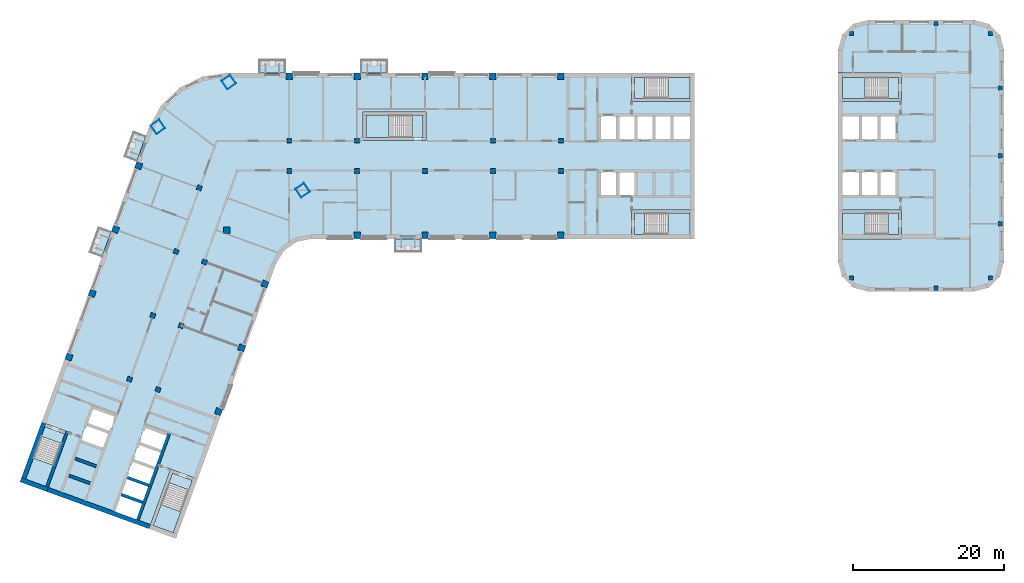
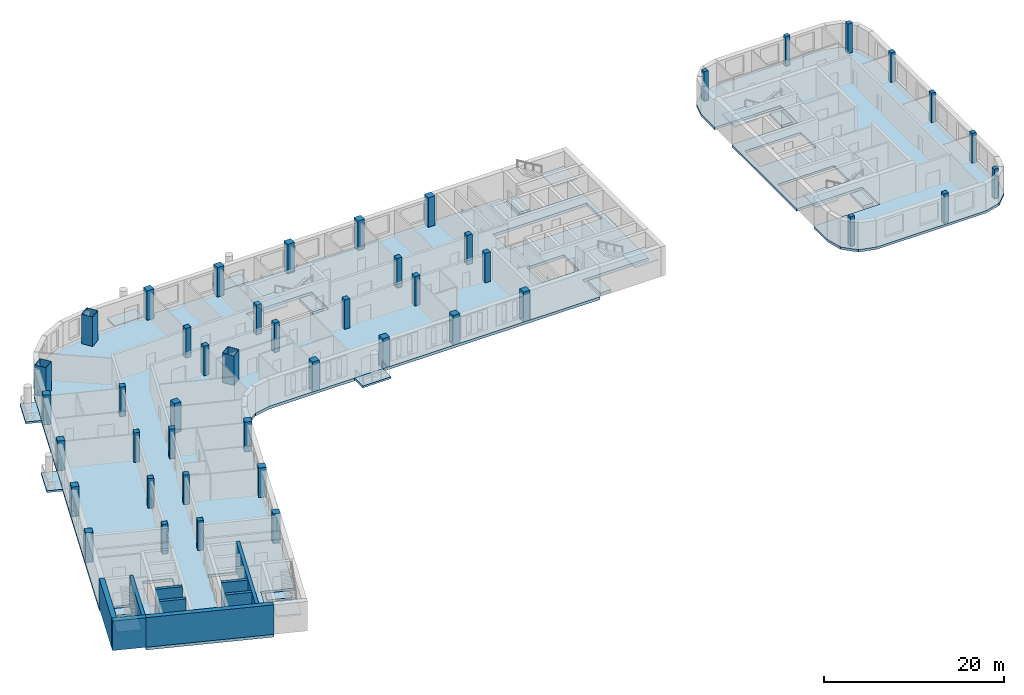
# One storey, part 1 of 13: 45 columns, 21 slabs, 9 walls, 7 elements without a shape of their own.
"""IFC4 building model written with IfcOpenShell, lengths in metres."""

from ifc_helpers import new_model, si_unit, direction, frame, frame_2d, origin, origin_2d, place, context, subcontext, project, spatial, polyline, rectangle, hollow_rectangle, outline, extrude, material, layer, layer_set, material_profile, profile_set, type_object, element, aggregate, save


model = new_model("IFC4")

# Units and contexts
model_context = context("Model", 3, precision=1e-05, world=origin(), true_north=direction((0.0, 1.0)))
body_context = subcontext(model_context, "Body", "Model", "MODEL_VIEW")
ifc_project = project(units=[si_unit("LENGTHUNIT", "METRE"), si_unit("AREAUNIT", "SQUARE_METRE"), si_unit("VOLUMEUNIT", "CUBIC_METRE"), si_unit("PLANEANGLEUNIT", "RADIAN"), si_unit("MASSUNIT", "GRAM", prefix="KILO")], contexts=[model_context])

# Site, building, storey
site_placement = place(None, origin())
site = spatial("IfcSite", under=ifc_project, at=site_placement, CompositionType="ELEMENT")
building_placement = place(site_placement, origin())
building = spatial("IfcBuilding", under=site, at=building_placement, Name="Skarvind Civic Tower", CompositionType="ELEMENT")
storey_placement = place(building_placement, frame((0.0, 0.0, 93.0)))
storey = spatial("IfcBuildingStorey", under=building, at=storey_placement, Name="L21", CompositionType="ELEMENT", Elevation=93.0)

# Columns
ifc_material_1 = material(Name="Concrete C60", Category="concrete")
ifc_material_profile_1 = material_profile(ifc_material_1, rectangle(XDim=0.550048828125, YDim=0.550048828125, at=origin_2d()), Name="RC-550x550")
ifc_profile_set_1 = profile_set([ifc_material_profile_1], Name="Concrete C60")
column_type_1 = type_object("IfcColumnType", Name="Column RC-550x550 C60", PredefinedType="COLUMN", material=ifc_profile_set_1)
for number, where, z_axis, x_axis, name in (
    (1, (128.777099609375, 144.222900390625, 0.0), (0.0, 0.0, 1.0), (1.0, 0.0, 0.0), "Column second tower north-west corner L21"),
    (2, (128.777099609375, 111.777099609375, 0.0), (0.0, 0.0, 1.0), (1.0, 0.0, 0.0), "Column second tower south-west corner L21"),
    (3, (148.550048828125, 119.0, 0.0), (0.0, 0.0, 1.0), (1.0, 0.0, 0.0), "Column second tower middle line 01 L21"),
    (4, (148.550048828125, 128.0, 0.0), (0.0, 0.0, 1.0), (1.0, 0.0, 0.0), "Column second tower middle line 02 L21"),
    (5, (148.550048828125, 137.0, 0.0), (0.0, 0.0, 1.0), (1.0, 0.0, 0.0), "Column second tower middle line 03 L21"),
    (6, (140.0, 145.550048828125, 0.0), (0.0, 0.0, 1.0), (1.0, 0.0, 0.0), "Column second tower north perimeter 02 L21"),
    (7, (147.222900390625, 144.222900390625, 0.0), (0.0, 0.0, 1.0), (1.0, 0.0, 0.0), "Column second tower north perimeter 03 L21"),
    (8, (140.0, 110.449951171875, 0.0), (0.0, 0.0, 1.0), (1.0, 0.0, 0.0), "Column second tower south perimeter 02 L21"),
    (9, (147.222900390625, 111.777099609375, 0.0), (0.0, 0.0, 1.0), (1.0, 0.0, 0.0), "Column second tower south perimeter 03 L21"),
):
    element("IfcColumn", number, at=place(storey_placement, frame(where, z_axis=z_axis, x_axis=x_axis)), inside=storey, type_object=column_type_1, Name=name, PredefinedType="COLUMN", context=body_context, shape_type="SweptSolid", body=[
        extrude(rectangle(XDim=0.550048828125, YDim=0.550048828125, at=origin_2d()), origin(), (0.0, 0.0, 1.0), 4.0),
    ])
ifc_material_profile_2 = material_profile(ifc_material_1, rectangle(XDim=0.64990234375, YDim=0.64990234375, at=origin_2d()), Name="RC-650x650")
ifc_profile_set_2 = profile_set([ifc_material_profile_2], Name="Concrete C60")
column_type_2 = type_object("IfcColumnType", Name="Column RC-650x650 C60", PredefinedType="COLUMN", material=ifc_profile_set_2)
for number, where, z_axis, x_axis, name in (
    (10, (54.25, 130.0, 0.0), (0.0, 0.0, 1.0), (1.0, 0.0, 0.0), "Column wing 1 north inner 02 L21"),
    (11, (63.25, 130.0, 0.0), (0.0, 0.0, 1.0), (1.0, 0.0, 0.0), "Column wing 1 north inner 03 L21"),
    (12, (81.25, 130.0, 0.0), (0.0, 0.0, 1.0), (1.0, 0.0, 0.0), "Column wing 1 north inner 05 L21"),
    (13, (90.25, 130.0, 0.0), (0.0, 0.0, 1.0), (1.0, 0.0, 0.0), "Column wing 1 north inner 06 L21"),
    (14, (54.25, 126.0, 0.0), (0.0, 0.0, 1.0), (1.0, 0.0, 0.0), "Column wing 1 south inner 02 L21"),
    (15, (63.25, 126.0, 0.0), (0.0, 0.0, 1.0), (1.0, 0.0, 0.0), "Column wing 1 south inner 03 L21"),
    (16, (72.25, 126.0, 0.0), (0.0, 0.0, 1.0), (1.0, 0.0, 0.0), "Column wing 1 south inner 04 L21"),
    (17, (81.25, 126.0, 0.0), (0.0, 0.0, 1.0), (1.0, 0.0, 0.0), "Column wing 1 south inner 05 L21"),
    (18, (90.25, 126.0, 0.0), (0.0, 0.0, 1.0), (1.0, 0.0, 0.0), "Column wing 1 south inner 06 L21"),
    (19, (43.005615234375, 113.92529296875, 0.0), (0.0, 0.0, 1.0), (-0.342020143326, -0.939692620786, 0.0), "Column wing 2 left inner 02 L21"),
    (20, (39.927490234375, 105.468017578125, 0.0), (0.0, 0.0, 1.0), (-0.342020143326, -0.939692620786, 0.0), "Column wing 2 left inner 03 L21"),
    (21, (36.84912109375, 97.010986328125, 0.0), (0.0, 0.0, 1.0), (-0.342020143326, -0.939692620786, 0.0), "Column wing 2 left inner 04 L21"),
    (22, (42.324951171875, 123.750732421875, 0.0), (0.0, 0.0, 1.0), (-0.342020143326, -0.939692620786, 0.0), "Column wing 2 right inner 01 L21"),
    (23, (39.246826171875, 115.29345703125, 0.0), (0.0, 0.0, 1.0), (-0.342020143326, -0.939692620786, 0.0), "Column wing 2 right inner 02 L21"),
    (24, (36.168701171875, 106.836181640625, 0.0), (0.0, 0.0, 1.0), (-0.342020143326, -0.939692620786, 0.0), "Column wing 2 right inner 03 L21"),
    (25, (33.090576171875, 98.37890625, 0.0), (0.0, 0.0, 1.0), (-0.342020143326, -0.939692620786, 0.0), "Column wing 2 right inner 04 L21"),
):
    element("IfcColumn", number, at=place(storey_placement, frame(where, z_axis=z_axis, x_axis=x_axis)), inside=storey, type_object=column_type_2, Name=name, PredefinedType="COLUMN", context=body_context, shape_type="SweptSolid", body=[
        extrude(rectangle(XDim=0.64990234375, YDim=0.64990234375, at=origin_2d()), origin(), (0.0, 0.0, 1.0), 4.0),
    ])
ifc_material_2 = material(Name="Concrete C80", Category="concrete")
ifc_material_profile_3 = material_profile(ifc_material_2, rectangle(XDim=0.85009765625, YDim=0.85009765625, at=origin_2d()), Name="RC-850x850")
ifc_profile_set_3 = profile_set([ifc_material_profile_3], Name="Concrete C80")
column_type_3 = type_object("IfcColumnType", Name="Column RC-850x850 C80", PredefinedType="COLUMN", material=ifc_profile_set_3)
for number, where, z_axis, x_axis, name in (
    (26, (54.25, 138.550048828125, 0.0), (0.0, 0.0, 1.0), (1.0, 0.0, 0.0), "Column wing 1 north perimeter 02 L21"),
    (27, (63.25, 138.550048828125, 0.0), (0.0, 0.0, 1.0), (1.0, 0.0, 0.0), "Column wing 1 north perimeter 03 L21"),
    (28, (72.25, 138.550048828125, 0.0), (0.0, 0.0, 1.0), (1.0, 0.0, 0.0), "Column wing 1 north perimeter 04 L21"),
    (29, (81.25, 138.550048828125, 0.0), (0.0, 0.0, 1.0), (1.0, 0.0, 0.0), "Column wing 1 north perimeter 05 L21"),
    (30, (90.25, 138.550048828125, 0.0), (0.0, 0.0, 1.0), (1.0, 0.0, 0.0), "Column wing 1 north perimeter 06 L21"),
    (31, (45.95166015625, 118.151611328125, 0.0), (0.0, 0.0, 1.0), (1.0, 0.0, 0.0), "Column wing 1 south perimeter 01 L21"),
    (32, (63.25, 117.449951171875, 0.0), (0.0, 0.0, 1.0), (1.0, 0.0, 0.0), "Column wing 1 south perimeter 03 L21"),
    (33, (72.25, 117.449951171875, 0.0), (0.0, 0.0, 1.0), (1.0, 0.0, 0.0), "Column wing 1 south perimeter 04 L21"),
    (34, (81.25, 117.449951171875, 0.0), (0.0, 0.0, 1.0), (1.0, 0.0, 0.0), "Column wing 1 south perimeter 05 L21"),
    (35, (90.25, 117.449951171875, 0.0), (0.0, 0.0, 1.0), (1.0, 0.0, 0.0), "Column wing 1 south perimeter 06 L21"),
    (36, (51.0400390625, 111.0009765625, 0.0), (0.0, 0.0, 1.0), (-0.342020143326, -0.939692620786, 0.0), "Column wing 2 left perimeter 02 L21"),
    (37, (47.961669921875, 102.5439453125, 0.0), (0.0, 0.0, 1.0), (-0.342020143326, -0.939692620786, 0.0), "Column wing 2 left perimeter 03 L21"),
    (38, (44.883544921875, 94.086669921875, 0.0), (0.0, 0.0, 1.0), (-0.342020143326, -0.939692620786, 0.0), "Column wing 2 left perimeter 04 L21"),
    (39, (34.29052734375, 126.6748046875, 0.0), (0.0, 0.0, 1.0), (-0.342020143326, -0.939692620786, 0.0), "Column wing 2 right perimeter 01 L21"),
    (40, (31.21240234375, 118.2177734375, 0.0), (0.0, 0.0, 1.0), (-0.342020143326, -0.939692620786, 0.0), "Column wing 2 right perimeter 02 L21"),
    (41, (28.13427734375, 109.760498046875, 0.0), (0.0, 0.0, 1.0), (-0.342020143326, -0.939692620786, 0.0), "Column wing 2 right perimeter 03 L21"),
    (42, (25.05615234375, 101.30322265625, 0.0), (0.0, 0.0, 1.0), (-0.342020143326, -0.939692620786, 0.0), "Column wing 2 right perimeter 04 L21"),
):
    element("IfcColumn", number, at=place(storey_placement, frame(where, z_axis=z_axis, x_axis=x_axis)), inside=storey, type_object=column_type_3, Name=name, PredefinedType="COLUMN", context=body_context, shape_type="SweptSolid", body=[
        extrude(rectangle(XDim=0.85009765625, YDim=0.85009765625, at=origin_2d()), origin(), (0.0, 0.0, 1.0), 4.0),
    ])
ifc_material_3 = material(Name="Composite concrete-filled steel tube, Steel SM355 with Concrete C80", Category="concrete")
ifc_material_profile_4 = material_profile(ifc_material_3, hollow_rectangle(XDim=1.39990234375, YDim=1.39990234375, WallThickness=0.0400390625, at=origin_2d()), Name="BOX-1400x1400x40")
ifc_profile_set_4 = profile_set([ifc_material_profile_4], Name="Composite concrete-filled steel tube, Steel SM355 with Concrete C80")
column_type_4 = type_object("IfcColumnType", Name="Mega column BOX-1400x1400x40 filled C80", PredefinedType="COLUMN", material=ifc_profile_set_4)
for number, where, z_axis, x_axis, name in (
    (43, (36.845947265625, 131.837646484375, 0.0), (0.0, 0.0, 1.0), (0.573576436351, -0.819152044289, 0.0), "Mega column 1 L21"),
    (44, (46.2470703125, 137.762451171875, 0.0), (0.0, 0.0, 1.0), (0.573576436351, -0.819152044289, 0.0), "Mega column 2 L21"),
    (45, (56.0361328125, 123.43017578125, 0.0), (0.0, 0.0, 1.0), (0.573576436351, -0.819152044289, 0.0), "Mega column 4 L21"),
):
    element("IfcColumn", number, at=place(storey_placement, frame(where, z_axis=z_axis, x_axis=x_axis)), inside=storey, type_object=column_type_4, Name=name, PredefinedType="COLUMN", context=body_context, shape_type="SweptSolid", body=[
        extrude(hollow_rectangle(XDim=1.39990234375, YDim=1.39990234375, WallThickness=0.0400390625, at=origin_2d()), origin(), (0.0, 0.0, 1.0), 4.0),
    ])

# Slabs
ifc_material_4 = material(Name="Concrete C50", Category="concrete")
ifc_layer_1 = layer(ifc_material_4, 0.375)
ifc_layer_set_1 = layer_set([ifc_layer_1], Name="Floor slab 375 C50")
slab_type_1 = type_object("IfcSlabType", Name="Floor slab 375 C50", PredefinedType="FLOOR", material=ifc_layer_set_1)
slab_1_placement = place(storey_placement, frame((0.0, 0.0, -0.375)))
element("IfcSlab", 46, at=slab_1_placement, inside=storey, type_object=slab_type_1, Name="Floor slab L21 1", PredefinedType="FLOOR", context=body_context, shape_type="SweptSolid", body=[
    extrude(outline(polyline([(99.60009765625, 117.0), (99.60009765625, 120.800048828125), (108.0, 120.800048828125), (108.0, 135.199951171875), (99.60009765625, 135.199951171875), (99.60009765625, 139.0), (46.095458984375, 139.0), (42.739501953125, 138.5009765625), (39.6943359375, 137.005615234375), (37.24755859375, 134.6552734375), (35.630615234375, 131.672607421875), (19.41748046875, 87.126708984375), (21.435302734375, 92.6708984375), (25.006103515625, 91.371337890625), (22.13330078125, 83.477783203125), (36.886474609375, 78.108154296875), (35.664794921875, 78.552734375), (38.53759765625, 86.4462890625), (42.108642578125, 85.146484375), (40.0908203125, 79.602294921875), (40.0908203125, 79.602294921875), (52.493896484375, 113.68017578125), (53.560791015625, 115.421630859375), (55.23388671875, 116.593017578125), (57.235107421875, 117.0), (99.60009765625, 117.0)]), holes=[polyline([(32.625244140625, 85.40576171875), (33.446044921875, 87.660888671875), (34.26708984375, 89.916259765625), (35.087890625, 92.17138671875), (38.28271484375, 91.008544921875), (37.4619140625, 88.75341796875), (36.64111328125, 86.498046875), (35.8203125, 84.242919921875), (35.8203125, 84.242919921875), (34.99951171875, 81.987548828125), (34.178466796875, 79.732421875), (30.983642578125, 80.89501953125), (31.804443359375, 83.150390625), (32.625244140625, 85.40576171875), (32.625244140625, 85.40576171875)]), polyline([(31.3291015625, 93.53955078125), (30.50830078125, 91.2841796875), (29.6875, 89.029052734375), (26.492431640625, 90.19189453125), (27.313232421875, 92.447021484375), (28.134033203125, 94.702392578125), (31.3291015625, 93.53955078125)]), polyline([(64.0, 130.0), (64.0, 133.800048828125), (72.39990234375, 133.800048828125), (72.39990234375, 130.0), (64.0, 130.0)]), polyline([(100.199951171875, 126.0), (100.199951171875, 122.60009765625), (97.800048828125, 122.60009765625), (95.39990234375, 122.60009765625), (95.39990234375, 126.0), (97.800048828125, 126.0), (100.199951171875, 126.0)]), polyline([(100.199951171875, 133.39990234375), (102.60009765625, 133.39990234375), (105.0, 133.39990234375), (107.39990234375, 133.39990234375), (107.39990234375, 130.0), (105.0, 130.0), (102.60009765625, 130.0), (100.199951171875, 130.0), (97.800048828125, 130.0), (95.39990234375, 130.0), (95.39990234375, 133.39990234375), (97.800048828125, 133.39990234375), (100.199951171875, 133.39990234375)])]), origin(), (0.0, 0.0, 1.0), 0.375),
])
ifc_material_5 = material(Name="Precast concrete C40/50", Category="concrete")
ifc_layer_2 = layer(ifc_material_5, 0.25)
ifc_layer_set_2 = layer_set([ifc_layer_2], Name="SX3 BALCONY SLAB 250")
slab_type_2 = type_object("IfcSlabType", Name="SX3 BALCONY SLAB 250", PredefinedType="FLOOR", material=ifc_layer_set_2)
slab_2_placement = place(storey_placement, frame((0.0, 0.0, -0.25)))
element("IfcSlab", 47, at=slab_2_placement, inside=storey, type_object=slab_type_2, Name="TREE BALCONY SLAB", PredefinedType="FLOOR", context=body_context, shape_type="SweptSolid", body=[
    extrude(outline(polyline([(71.800048828125, 117.0), (68.199951171875, 117.0), (68.199951171875, 115.199951171875), (71.800048828125, 115.199951171875), (71.800048828125, 117.0)])), origin(), (0.0, 0.0, 1.0), 0.25),
])
slab_3_placement = place(storey_placement, frame((0.0, 0.0, -0.25)))
element("IfcSlab", 48, at=slab_3_placement, inside=storey, type_object=slab_type_2, Name="TREE BALCONY SLAB", PredefinedType="FLOOR", context=body_context, shape_type="SweptSolid", body=[
    extrude(outline(polyline([(50.199951171875, 139.0), (53.800048828125, 139.0), (53.800048828125, 140.800048828125), (50.199951171875, 140.800048828125), (50.199951171875, 139.0)])), origin(), (0.0, 0.0, 1.0), 0.25),
])
slab_4_placement = place(storey_placement, frame((0.0, 0.0, -0.25)))
element("IfcSlab", 49, at=slab_4_placement, inside=storey, type_object=slab_type_2, Name="TREE BALCONY SLAB", PredefinedType="FLOOR", context=body_context, shape_type="SweptSolid", body=[
    extrude(outline(polyline([(63.699951171875, 139.0), (67.300048828125, 139.0), (67.300048828125, 140.800048828125), (63.699951171875, 140.800048828125), (63.699951171875, 139.0)])), origin(), (0.0, 0.0, 1.0), 0.25),
])
slab_5_placement = place(storey_placement, frame((0.0, 0.0, -0.25)))
element("IfcSlab", 50, at=slab_5_placement, inside=storey, type_object=slab_type_2, Name="TREE BALCONY SLAB", PredefinedType="FLOOR", context=body_context, shape_type="SweptSolid", body=[
    extrude(outline(polyline([(29.404296875, 114.56591796875), (30.6357421875, 117.94873046875), (28.9443359375, 118.564453125), (27.712890625, 115.181396484375), (29.404296875, 114.56591796875)])), origin(), (0.0, 0.0, 1.0), 0.25),
])
slab_6_placement = place(storey_placement, frame((0.0, 0.0, -0.25)))
element("IfcSlab", 51, at=slab_6_placement, inside=storey, type_object=slab_type_2, Name="TREE BALCONY SLAB", PredefinedType="FLOOR", context=body_context, shape_type="SweptSolid", body=[
    extrude(outline(polyline([(34.021728515625, 127.251708984375), (35.2529296875, 130.634521484375), (33.5615234375, 131.250244140625), (32.330322265625, 127.867431640625), (34.021728515625, 127.251708984375)])), origin(), (0.0, 0.0, 1.0), 0.25),
])
ifc_layer_3 = layer(ifc_material_4, 0.324951171875)
ifc_layer_set_3 = layer_set([ifc_layer_3], Name="Second tower floor slab 325 C50")
slab_type_3 = type_object("IfcSlabType", Name="Second tower floor slab 325 C50", PredefinedType="FLOOR", material=ifc_layer_set_3)
slab_7_placement = place(storey_placement, frame((0.0, 0.0, -0.324951171875)))
element("IfcSlab", 52, at=slab_7_placement, inside=storey, type_object=slab_type_3, Name="Floor slab L21 1", PredefinedType="FLOOR", context=body_context, shape_type="SweptSolid", body=[
    extrude(outline(polyline([(127.0, 139.0), (135.39990234375, 139.0), (135.39990234375, 135.199951171875), (127.0, 135.199951171875), (127.0, 120.800048828125), (135.39990234375, 120.800048828125), (135.39990234375, 117.0), (127.0, 117.0), (127.0, 114.0), (127.535888671875, 112.0), (129.0, 110.535888671875), (131.0, 110.0), (145.0, 110.0), (147.0, 110.535888671875), (148.464111328125, 112.0), (149.0, 114.0), (149.0, 142.0), (148.464111328125, 144.0), (147.0, 145.464111328125), (145.0, 146.0), (131.0, 146.0), (129.0, 145.464111328125), (127.535888671875, 144.0), (127.0, 142.0), (127.0, 139.0)]), holes=[polyline([(132.39990234375, 126.0), (134.800048828125, 126.0), (134.800048828125, 122.60009765625), (132.39990234375, 122.60009765625), (130.0, 122.60009765625), (127.60009765625, 122.60009765625), (127.60009765625, 126.0), (130.0, 126.0), (132.39990234375, 126.0)]), polyline([(130.0, 133.39990234375), (132.39990234375, 133.39990234375), (134.800048828125, 133.39990234375), (134.800048828125, 130.0), (132.39990234375, 130.0), (130.0, 130.0), (127.60009765625, 130.0), (127.60009765625, 133.39990234375), (130.0, 133.39990234375)])]), origin(), (0.0, 0.0, 1.0), 0.324951171875),
])
ifc_material_6 = material(Name="Concrete C40/50", Category="concrete")
ifc_layer_4 = layer(ifc_material_6, 0.375)
ifc_layer_set_4 = layer_set([ifc_layer_4], Name="Stair floor landing slab 375")
slab_type_4 = type_object("IfcSlabType", Name="Stair floor landing slab 375", PredefinedType="LANDING", material=ifc_layer_set_4)
slab_8_placement = place(storey_placement, frame((0.0, 0.0, -0.375)))
element("IfcSlab", 53, at=slab_8_placement, inside=storey, type_object=slab_type_4, Name="Stair floor landing", PredefinedType="LANDING", context=body_context, shape_type="SweptSolid", body=[
    extrude(outline(polyline([(101.3505859375, 138.400634765625), (101.3505859375, 135.599365234375), (99.99951171875, 135.599365234375), (99.99951171875, 138.400634765625), (101.3505859375, 138.400634765625)])), origin(), (0.0, 0.0, 1.0), 0.375),
])
slab_9_placement = place(storey_placement, frame((0.0, 0.0, -0.375)))
element("IfcSlab", 54, at=slab_9_placement, inside=storey, type_object=slab_type_4, Name="Stair floor landing", PredefinedType="LANDING", context=body_context, shape_type="SweptSolid", body=[
    extrude(outline(polyline([(101.3505859375, 120.400634765625), (101.3505859375, 117.599365234375), (99.99951171875, 117.599365234375), (99.99951171875, 120.400634765625), (101.3505859375, 120.400634765625)])), origin(), (0.0, 0.0, 1.0), 0.375),
])
slab_10_placement = place(storey_placement, frame((0.0, 0.0, -0.375)))
element("IfcSlab", 55, at=slab_10_placement, inside=storey, type_object=slab_type_4, Name="Stair floor landing", PredefinedType="LANDING", context=body_context, shape_type="SweptSolid", body=[
    extrude(outline(polyline([(40.946533203125, 83.70654296875), (38.314208984375, 84.66455078125), (38.7763671875, 85.934326171875), (41.40869140625, 84.976318359375), (40.946533203125, 83.70654296875)])), origin(), (0.0, 0.0, 1.0), 0.375),
])
slab_11_placement = place(storey_placement, frame((0.0, 0.0, -0.375)))
element("IfcSlab", 56, at=slab_11_placement, inside=storey, type_object=slab_type_4, Name="Stair floor landing", PredefinedType="LANDING", context=body_context, shape_type="SweptSolid", body=[
    extrude(outline(polyline([(24.0322265625, 89.863037109375), (21.39990234375, 90.821044921875), (21.862060546875, 92.090576171875), (24.494384765625, 91.132568359375), (24.0322265625, 89.863037109375)])), origin(), (0.0, 0.0, 1.0), 0.375),
])
slab_12_placement = place(storey_placement, frame((0.0, 0.0, -0.375)))
element("IfcSlab", 57, at=slab_12_placement, inside=storey, type_object=slab_type_4, Name="Stair floor landing", PredefinedType="LANDING", context=body_context, shape_type="SweptSolid", body=[
    extrude(outline(polyline([(133.6494140625, 117.599365234375), (133.6494140625, 120.400634765625), (135.00048828125, 120.400634765625), (135.00048828125, 117.599365234375), (133.6494140625, 117.599365234375)])), origin(), (0.0, 0.0, 1.0), 0.375),
])
slab_13_placement = place(storey_placement, frame((0.0, 0.0, -0.375)))
element("IfcSlab", 58, at=slab_13_placement, inside=storey, type_object=slab_type_4, Name="Stair floor landing", PredefinedType="LANDING", context=body_context, shape_type="SweptSolid", body=[
    extrude(outline(polyline([(133.6494140625, 135.599365234375), (133.6494140625, 138.400634765625), (135.00048828125, 138.400634765625), (135.00048828125, 135.599365234375), (133.6494140625, 135.599365234375)])), origin(), (0.0, 0.0, 1.0), 0.375),
])
slab_14_placement = place(storey_placement, frame((0.0, 0.0, -0.375)))
element("IfcSlab", 59, at=slab_14_placement, inside=storey, type_object=slab_type_4, Name="Stair floor landing", PredefinedType="LANDING", context=body_context, shape_type="SweptSolid", body=[
    extrude(outline(polyline([(70.54931640625, 130.3994140625), (70.54931640625, 133.400634765625), (72.00048828125, 133.400634765625), (72.00048828125, 130.3994140625), (70.54931640625, 130.3994140625)])), origin(), (0.0, 0.0, 1.0), 0.375),
])

# Stair, slab
stair_type_1 = type_object("IfcStairType", Name="Exit stair, half-turn, concrete", PredefinedType="HALF_TURN_STAIR", material=ifc_material_6)
stair_1_placement = place(storey_placement, origin())
stair_1 = element("IfcStair", 60, at=stair_1_placement, inside=storey, type_object=stair_type_1, Name="Exit stair C1S", PredefinedType="HALF_TURN_STAIR")
ifc_layer_5 = layer(ifc_material_6, 0.199951171875)
ifc_layer_set_5 = layer_set([ifc_layer_5], Name="Stair half landing slab")
slab_type_5 = type_object("IfcSlabType", Name="Stair half landing slab", PredefinedType="LANDING", material=ifc_layer_set_5)
slab_15_placement = place(storey_placement, frame((0.0, 0.0, 1.800048828125)))
slab_15 = element("IfcSlab", 61, at=slab_15_placement, type_object=slab_type_5, Name="ST-C1S landing 1", PredefinedType="LANDING", context=body_context, shape_type="SweptSolid", body=[
    extrude(outline(polyline([(104.429443359375, 135.599365234375), (104.429443359375, 138.400634765625), (107.400634765625, 138.400634765625), (107.400634765625, 135.599365234375), (104.429443359375, 135.599365234375)])), origin(), (0.0, 0.0, 1.0), 0.199951171875),
])
aggregate(stair_1, [slab_15])

stair_2_placement = place(storey_placement, origin())
stair_2 = element("IfcStair", 62, at=stair_2_placement, inside=storey, type_object=stair_type_1, Name="Exit stair C1N", PredefinedType="HALF_TURN_STAIR")
slab_16_placement = place(storey_placement, frame((0.0, 0.0, 1.800048828125)))
slab_16 = element("IfcSlab", 63, at=slab_16_placement, type_object=slab_type_5, Name="ST-C1N landing 1", PredefinedType="LANDING", context=body_context, shape_type="SweptSolid", body=[
    extrude(outline(polyline([(104.429443359375, 117.599365234375), (104.429443359375, 120.400634765625), (107.400634765625, 120.400634765625), (107.400634765625, 117.599365234375), (104.429443359375, 117.599365234375)])), origin(), (0.0, 0.0, 1.0), 0.199951171875),
])
aggregate(stair_2, [slab_16])

stair_3_placement = place(storey_placement, origin())
stair_3 = element("IfcStair", 64, at=stair_3_placement, inside=storey, type_object=stair_type_1, Name="Exit stair C2S", PredefinedType="HALF_TURN_STAIR")
slab_17_placement = place(storey_placement, frame((0.0, 0.0, 1.800048828125)))
slab_17 = element("IfcSlab", 65, at=slab_17_placement, type_object=slab_type_5, Name="ST-C2S landing 1", PredefinedType="LANDING", context=body_context, shape_type="SweptSolid", body=[
    extrude(outline(polyline([(37.26123046875, 81.771484375), (39.8935546875, 80.8134765625), (38.87744140625, 78.021484375), (36.2451171875, 78.9794921875), (37.26123046875, 81.771484375)])), origin(), (0.0, 0.0, 1.0), 0.199951171875),
])
aggregate(stair_3, [slab_17])

stair_4_placement = place(storey_placement, origin())
stair_4 = element("IfcStair", 66, at=stair_4_placement, inside=storey, type_object=stair_type_1, Name="Exit stair C2N", PredefinedType="HALF_TURN_STAIR")
slab_18_placement = place(storey_placement, frame((0.0, 0.0, 1.800048828125)))
slab_18 = element("IfcSlab", 67, at=slab_18_placement, type_object=slab_type_5, Name="ST-C2N landing 1", PredefinedType="LANDING", context=body_context, shape_type="SweptSolid", body=[
    extrude(outline(polyline([(20.346923828125, 87.927734375), (22.97900390625, 86.9697265625), (21.962890625, 84.177734375), (19.33056640625, 85.1357421875), (20.346923828125, 87.927734375)])), origin(), (0.0, 0.0, 1.0), 0.199951171875),
])
aggregate(stair_4, [slab_18])

stair_5_placement = place(storey_placement, origin())
stair_5 = element("IfcStair", 68, at=stair_5_placement, inside=storey, type_object=stair_type_1, Name="Exit stair CAS", PredefinedType="HALF_TURN_STAIR")
slab_19_placement = place(storey_placement, frame((0.0, 0.0, 1.800048828125)))
slab_19 = element("IfcSlab", 69, at=slab_19_placement, type_object=slab_type_5, Name="ST-CAS landing 1", PredefinedType="LANDING", context=body_context, shape_type="SweptSolid", body=[
    extrude(outline(polyline([(130.570556640625, 120.400634765625), (130.570556640625, 117.599365234375), (127.599365234375, 117.599365234375), (127.599365234375, 120.400634765625), (130.570556640625, 120.400634765625)])), origin(), (0.0, 0.0, 1.0), 0.199951171875),
])
aggregate(stair_5, [slab_19])

stair_6_placement = place(storey_placement, origin())
stair_6 = element("IfcStair", 70, at=stair_6_placement, inside=storey, type_object=stair_type_1, Name="Exit stair CAN", PredefinedType="HALF_TURN_STAIR")
slab_20_placement = place(storey_placement, frame((0.0, 0.0, 1.800048828125)))
slab_20 = element("IfcSlab", 71, at=slab_20_placement, type_object=slab_type_5, Name="ST-CAN landing 1", PredefinedType="LANDING", context=body_context, shape_type="SweptSolid", body=[
    extrude(outline(polyline([(130.570556640625, 138.400634765625), (130.570556640625, 135.599365234375), (127.599365234375, 135.599365234375), (127.599365234375, 138.400634765625), (130.570556640625, 138.400634765625)])), origin(), (0.0, 0.0, 1.0), 0.199951171875),
])
aggregate(stair_6, [slab_20])

stair_type_2 = type_object("IfcStairType", Name="Exit stair 1450, half-turn, concrete", PredefinedType="HALF_TURN_STAIR", material=ifc_material_6)
stair_7_placement = place(storey_placement, origin())
stair_7 = element("IfcStair", 72, at=stair_7_placement, inside=storey, type_object=stair_type_2, Name="Exit stair CM", PredefinedType="HALF_TURN_STAIR")
slab_21_placement = place(storey_placement, frame((0.0, 0.0, 1.800048828125)))
slab_21 = element("IfcSlab", 73, at=slab_21_placement, type_object=slab_type_5, Name="ST-CM landing 1", PredefinedType="LANDING", context=body_context, shape_type="SweptSolid", body=[
    extrude(outline(polyline([(67.470703125, 133.400634765625), (67.470703125, 130.3994140625), (64.3994140625, 130.3994140625), (64.3994140625, 133.400634765625), (67.470703125, 133.400634765625)])), origin(), (0.0, 0.0, 1.0), 0.199951171875),
])
aggregate(stair_7, [slab_21])

# Walls
ifc_layer_6 = layer(ifc_material_2, 0.39990234375)
ifc_layer_set_6 = layer_set([ifc_layer_6], Name="Core wall 400 C80")
wall_type_1 = type_object("IfcWallType", Name="Core wall 400 C80", PredefinedType="SHEAR", material=ifc_layer_set_6)
wall_1_placement = place(storey_placement, frame((22.150390625, 84.110107421875, 0.0), z_axis=(0.0, 0.0, 1.0), x_axis=(0.342016982193, 0.939693771338, 0.0)))
element("IfcWall", 74, at=wall_1_placement, inside=storey, type_object=wall_type_1, Name="Core wall C2 north stair inner L21", PredefinedType="SHEAR", context=body_context, shape_type="SweptSolid", body=[
    extrude(rectangle(XDim=7.800048828125, YDim=0.39990234375, at=frame_2d((3.89990234375, 0.0))), origin(), (0.0, 0.0, 1.0), 4.0),
])
wall_2_placement = place(storey_placement, frame((34.178466796875, 79.732177734375, 0.0), z_axis=(0.0, 0.0, 1.0), x_axis=(0.342014590177, 0.939694641948, 0.0)))
element("IfcWall", 75, at=wall_2_placement, inside=storey, type_object=wall_type_1, Name="Core wall C2 south lift row back L21", PredefinedType="SHEAR", context=body_context, shape_type="SweptSolid", body=[
    extrude(rectangle(XDim=12.2001953125, YDim=0.39990234375, at=frame_2d((6.10009765625, 0.0))), origin(), (0.0, 0.0, 1.0), 4.0),
])
for number, where, z_axis, x_axis, name in (
    (76, (34.8115234375, 82.055908203125, 0.0), (0.0, 0.0, 1.0), (-0.939686455819, 0.342037080957, 0.0), "Core wall C2 south lift row division 1 L21"),
    (77, (35.63232421875, 84.311279296875, 0.0), (0.0, 0.0, 1.0), (-0.939712609717, 0.341965219194, 0.0), "Core wall C2 south lift row division 2 L21"),
    (78, (27.857666015625, 84.5869140625, 0.0), (0.0, 0.0, 1.0), (-0.939686455819, 0.342037080957, 0.0), "Core wall C2 north lift row division 1 L21"),
):
    element("IfcWall", number, at=place(storey_placement, frame(where, z_axis=z_axis, x_axis=x_axis)), inside=storey, type_object=wall_type_1, Name=name, PredefinedType="SHEAR", context=body_context, shape_type="SweptSolid", body=[
        extrude(rectangle(XDim=3.0, YDim=0.39990234375, at=frame_2d((1.5, 0.0))), origin(), (0.0, 0.0, 1.0), 4.0),
    ])
wall_3_placement = place(storey_placement, frame((28.678466796875, 86.842041015625, 0.0), z_axis=(0.0, 0.0, 1.0), x_axis=(-0.939676934218, 0.342063238742, 0.0)))
element("IfcWall", 79, at=wall_3_placement, inside=storey, type_object=wall_type_1, Name="Core wall C2 north lift row division 2 L21", PredefinedType="SHEAR", context=body_context, shape_type="SweptSolid", body=[
    extrude(rectangle(XDim=2.999755859375, YDim=0.39990234375, at=frame_2d((1.5, 0.0))), origin(), (0.0, 0.0, 1.0), 4.0),
])
ifc_layer_7 = layer(ifc_material_2, 0.60009765625)
ifc_layer_set_7 = layer_set([ifc_layer_7], Name="Core wall 600 C80")
wall_type_2 = type_object("IfcWallType", Name="Core wall 600 C80", PredefinedType="SHEAR", material=ifc_layer_set_7)
wall_4_placement = place(storey_placement, frame((35.767333984375, 78.834716796875, 0.0), z_axis=(0.0, 0.0, 1.0), x_axis=(-0.939692894512, 0.342019391267, 0.0)))
element("IfcWall", 80, at=wall_4_placement, inside=storey, type_object=wall_type_2, Name="Core wall C2 tip between the stairs L21", PredefinedType="SHEAR", context=body_context, shape_type="SweptSolid", body=[
    extrude(rectangle(XDim=14.39990234375, YDim=0.60009765625, at=frame_2d((7.199951171875, 0.0))), origin(), (0.0, 0.0, 1.0), 4.0),
])
wall_5_placement = place(storey_placement, frame((22.23583984375, 83.759765625, 0.0), z_axis=(0.0, 0.0, 1.0), x_axis=(-0.939680822529, 0.342052557032, 0.0)))
element("IfcWall", 81, at=wall_5_placement, inside=storey, type_object=wall_type_2, Name="Core wall C2 tip at the north stair L21", PredefinedType="SHEAR", context=body_context, shape_type="SweptSolid", body=[
    extrude(rectangle(XDim=3.800048828125, YDim=0.60009765625, at=frame_2d((1.89990234375, 0.0))), origin(), (0.0, 0.0, 1.0), 4.0),
])
wall_6_placement = place(storey_placement, frame((19.049560546875, 85.23876953125, 0.0), z_axis=(0.0, 0.0, 1.0), x_axis=(0.342016982193, 0.939693771338, 0.0)))
element("IfcWall", 82, at=wall_6_placement, inside=storey, type_object=wall_type_2, Name="Core wall C2 north side at the stair L21", PredefinedType="SHEAR", context=body_context, shape_type="SweptSolid", body=[
    extrude(rectangle(XDim=7.800048828125, YDim=0.60009765625, at=frame_2d((3.89990234375, 0.0))), origin(), (0.0, 0.0, 1.0), 4.0),
])

save(model, "model.ifc")
